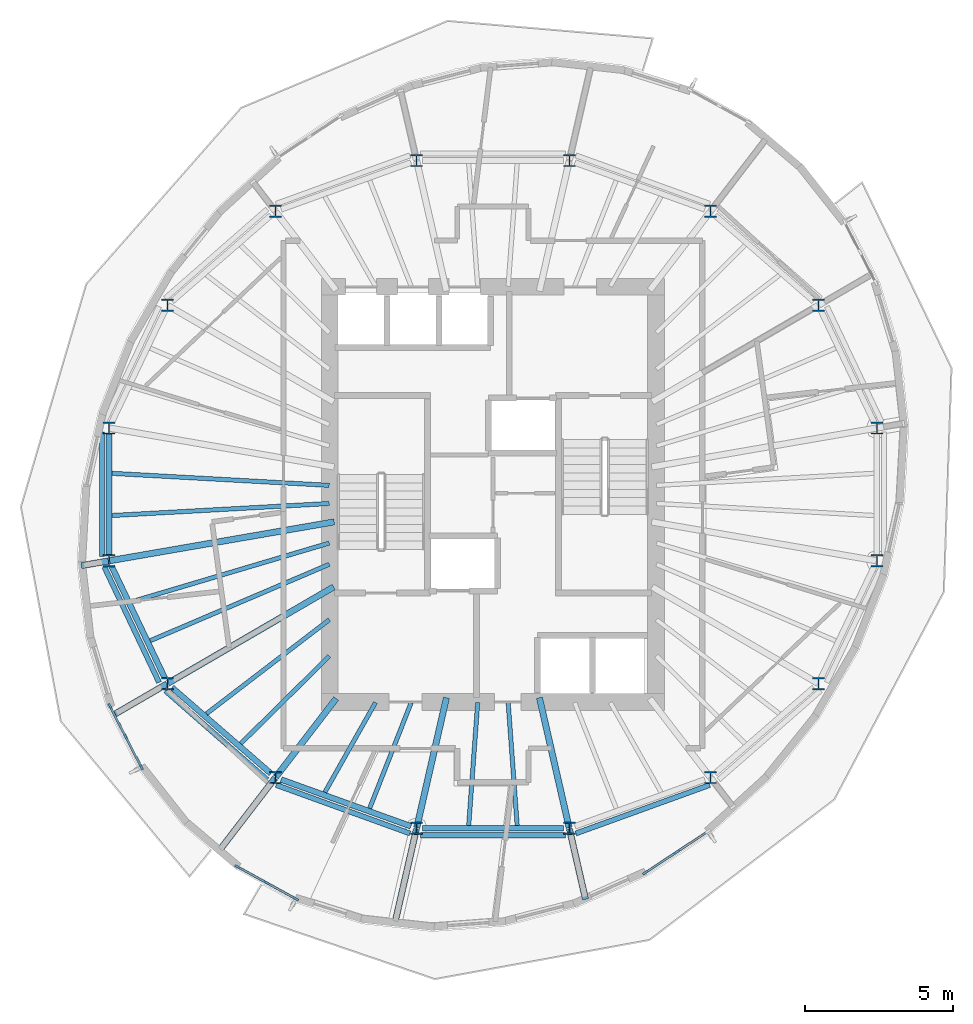
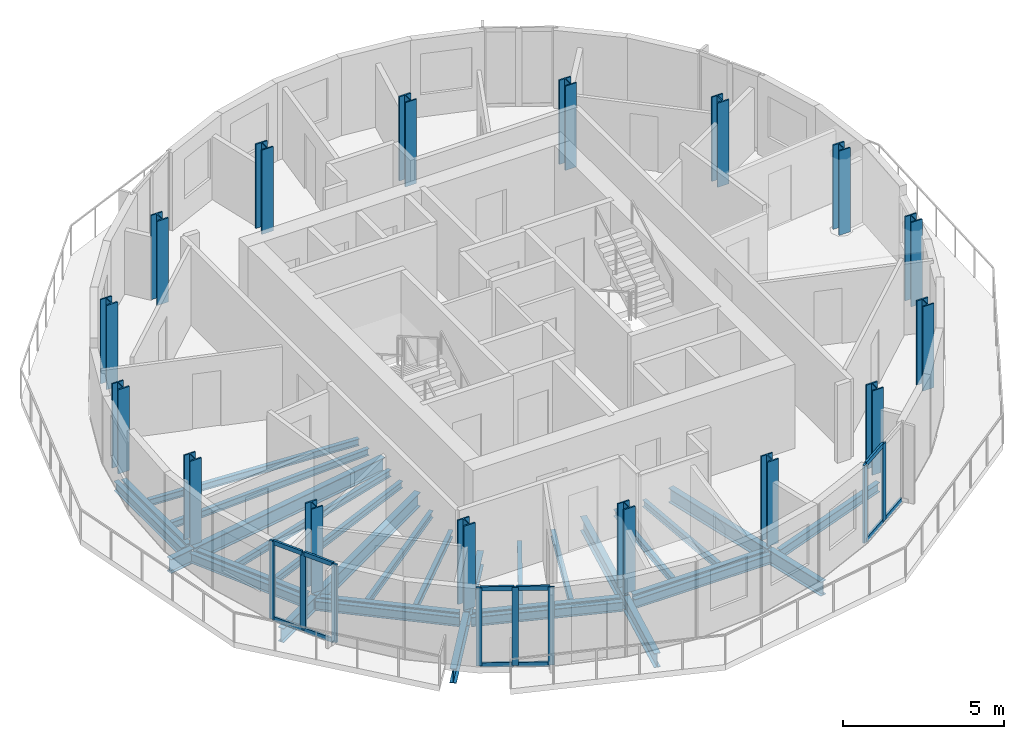
# One storey, part 1 of 11: 31 beams, 19 members, 16 columns, 3 elements without a shape of their own.
"""IFC4 building model written with IfcOpenShell, lengths in metres."""

from ifc_helpers import new_model, si_unit, direction, frame, origin, origin_2d, place, context, subcontext, project, spatial, rectangle, i_section, extrude, material, material_profile, profile_set, type_object, element, aggregate, save


model = new_model("IFC4")

# Units and contexts
model_context = context("Model", 3, precision=1e-05, world=origin(), true_north=direction((0.0, 1.0)))
body_context = subcontext(model_context, "Body", "Model", "MODEL_VIEW")
ifc_project = project(units=[si_unit("LENGTHUNIT", "METRE"), si_unit("AREAUNIT", "SQUARE_METRE"), si_unit("VOLUMEUNIT", "CUBIC_METRE"), si_unit("PLANEANGLEUNIT", "RADIAN"), si_unit("MASSUNIT", "GRAM", prefix="KILO")], contexts=[model_context])

# Site, building, storey
site_placement = place(None, origin())
site = spatial("IfcSite", under=ifc_project, at=site_placement, CompositionType="ELEMENT")
building_placement = place(site_placement, origin())
building = spatial("IfcBuilding", under=site, at=building_placement, Name="Veldorim Arch Residences", CompositionType="ELEMENT")
storey_placement = place(building_placement, frame((0.0, 0.0, 220.639892578125)))
storey = spatial("IfcBuildingStorey", under=building, at=storey_placement, Name="L66", CompositionType="ELEMENT", Elevation=220.639892578125)

# Columns
ifc_material_1 = material(Name="Steel S460", Category="steel")
ifc_material_profile_1 = material_profile(ifc_material_1, i_section(OverallWidth=0.406982421875, OverallDepth=0.4189453125, WebThickness=0.030517578125, FlangeThickness=0.04931640625, at=origin_2d()), Name="UC356x406x393")
ifc_profile_set_1 = profile_set([ifc_material_profile_1], Name="Steel S460")
column_type = type_object("IfcColumnType", Name="Structural Column UC356x406x393", PredefinedType="COLUMN", material=ifc_profile_set_1)
for number, where, z_axis, x_axis, name in (
    (1, (44.9462890625, 26.239501953125, 0.0), (0.0, 0.0, 1.0), (1.0, 0.0, 0.0), "L66 TC-Z4-01 perimeter column"),
    (2, (42.975341796875, 30.3779296875, 0.0), (0.0, 0.0, 1.0), (1.0, 0.0, 0.0), "L66 TC-Z4-02 perimeter column"),
    (3, (39.33349609375, 33.54541015625, 0.0), (0.0, 0.0, 1.0), (1.0, 0.0, 0.0), "L66 TC-Z4-03 perimeter column"),
    (4, (34.5751953125, 35.259521484375, 0.0), (0.0, 0.0, 1.0), (1.0, 0.0, 0.0), "L66 TC-Z4-04 perimeter column"),
    (5, (29.4248046875, 35.259521484375, 0.0), (0.0, 0.0, 1.0), (1.0, 0.0, 0.0), "L66 TC-Z4-05 perimeter column"),
    (6, (24.66650390625, 33.54541015625, 0.0), (0.0, 0.0, 1.0), (1.0, 0.0, 0.0), "L66 TC-Z4-06 perimeter column"),
    (7, (21.024658203125, 30.3779296875, 0.0), (0.0, 0.0, 1.0), (1.0, 0.0, 0.0), "L66 TC-Z4-07 perimeter column"),
    (8, (19.0537109375, 26.239501953125, 0.0), (0.0, 0.0, 1.0), (1.0, 0.0, 0.0), "L66 TC-Z4-08 perimeter column"),
    (9, (19.0537109375, 21.760498046875, 0.0), (0.0, 0.0, 1.0), (1.0, 0.0, 0.0), "L66 TC-Z4-09 perimeter column"),
    (10, (21.024658203125, 17.6220703125, 0.0), (0.0, 0.0, 1.0), (1.0, 0.0, 0.0), "L66 TC-Z4-10 perimeter column"),
    (11, (24.66650390625, 14.45458984375, 0.0), (0.0, 0.0, 1.0), (1.0, 0.0, 0.0), "L66 TC-Z4-11 perimeter column"),
    (12, (29.4248046875, 12.740478515625, 0.0), (0.0, 0.0, 1.0), (1.0, 0.0, 0.0), "L66 TC-Z4-12 perimeter column"),
    (13, (34.5751953125, 12.740478515625, 0.0), (0.0, 0.0, 1.0), (1.0, 0.0, 0.0), "L66 TC-Z4-13 perimeter column"),
    (14, (39.33349609375, 14.45458984375, 0.0), (0.0, 0.0, 1.0), (1.0, 0.0, 0.0), "L66 TC-Z4-14 perimeter column"),
    (15, (42.975341796875, 17.6220703125, 0.0), (0.0, 0.0, 1.0), (1.0, 0.0, 0.0), "L66 TC-Z4-15 perimeter column"),
    (16, (44.9462890625, 21.760498046875, 0.0), (0.0, 0.0, 1.0), (1.0, 0.0, 0.0), "L66 TC-Z4-16 perimeter column"),
):
    element("IfcColumn", number, at=place(storey_placement, frame(where, z_axis=z_axis, x_axis=x_axis)), inside=storey, type_object=column_type, Name=name, PredefinedType="COLUMN", context=body_context, shape_type="SweptSolid", body=[
        extrude(i_section(OverallWidth=0.406982421875, OverallDepth=0.4189453125, WebThickness=0.030517578125, FlangeThickness=0.04931640625, at=origin_2d()), origin(), (0.0, 0.0, 1.0), 3.2001953125),
    ])

# Beams
ifc_material_2 = material(Name="Steel S355", Category="steel")
ifc_material_profile_2 = material_profile(ifc_material_2, i_section(OverallWidth=0.2119140625, OverallDepth=0.54443359375, WebThickness=0.0126953125, FlangeThickness=0.021240234375, at=origin_2d()), Name="UB533x210x122")
ifc_profile_set_2 = profile_set([ifc_material_profile_2], Name="Steel S355")
beam_type_1 = type_object("IfcBeamType", Name="Structural Steel Beam UB533x210x122", PredefinedType="BEAM", material=ifc_profile_set_2)
beam_1_placement = place(storey_placement, frame((26.647705078125, 23.07421875, -0.51220703125), z_axis=(-0.985364974081, -0.170457818401, 0.0), x_axis=(0.170457818401, -0.985364974081, 0.0)))
element("IfcBeam", 17, at=beam_1_placement, inside=storey, type_object=beam_type_1, Name="L66 radial floor girder 09", PredefinedType="BEAM", context=body_context, shape_type="SweptSolid", body=[
    extrude(i_section(OverallWidth=0.2119140625, OverallDepth=0.54443359375, WebThickness=0.0126953125, FlangeThickness=0.021240234375, at=origin_2d()), origin(), (0.0, 0.0, 1.0), 7.68701171875),
])
beam_2_placement = place(storey_placement, frame((19.033935546875, 21.757080078125, -0.51220703125), z_axis=(-0.985342848414, -0.170585670791, 0.0), x_axis=(0.170585670791, -0.985342848414, 0.0)))
element("IfcBeam", 18, at=beam_2_placement, inside=storey, type_object=beam_type_1, Name="L66 radial edge cantilever girder 09", PredefinedType="BEAM", context=body_context, shape_type="SweptSolid", body=[
    extrude(i_section(OverallWidth=0.2119140625, OverallDepth=0.54443359375, WebThickness=0.0126953125, FlangeThickness=0.021240234375, at=origin_2d()), origin(), (0.0, 0.0, 1.0), 0.927490234375),
])
beam_3_placement = place(storey_placement, frame((26.629638671875, 20.87939453125, -0.51220703125), z_axis=(-0.864595736304, -0.502468121142, 0.0), x_axis=(0.502468121142, -0.864595736304, 0.0)))
element("IfcBeam", 19, at=beam_3_placement, inside=storey, type_object=beam_type_1, Name="L66 radial floor girder 10", PredefinedType="BEAM", context=body_context, shape_type="SweptSolid", body=[
    extrude(i_section(OverallWidth=0.2119140625, OverallDepth=0.54443359375, WebThickness=0.0126953125, FlangeThickness=0.021240234375, at=origin_2d()), origin(), (0.0, 0.0, 1.0), 6.462646484375),
])
beam_4_placement = place(storey_placement, frame((21.00732421875, 17.612060546875, -0.51220703125), z_axis=(-0.864613318974, -0.502437865465, 0.0), x_axis=(0.502437865465, -0.864613318974, 0.0)))
element("IfcBeam", 20, at=beam_4_placement, inside=storey, type_object=beam_type_1, Name="L66 radial edge cantilever girder 10", PredefinedType="BEAM", context=body_context, shape_type="SweptSolid", body=[
    extrude(i_section(OverallWidth=0.2119140625, OverallDepth=0.54443359375, WebThickness=0.0126953125, FlangeThickness=0.021240234375, at=origin_2d()), origin(), (0.0, 0.0, 1.0), 2.045166015625),
])
beam_5_placement = place(storey_placement, frame((26.71337890625, 17.118896484375, -0.51220703125), z_axis=(-0.609258442308, -0.792971721108, 0.0), x_axis=(0.792971721108, -0.609258442308, 0.0)))
element("IfcBeam", 21, at=beam_5_placement, inside=storey, type_object=beam_type_1, Name="L66 radial floor girder 11", PredefinedType="BEAM", context=body_context, shape_type="SweptSolid", body=[
    extrude(i_section(OverallWidth=0.2119140625, OverallDepth=0.54443359375, WebThickness=0.0126953125, FlangeThickness=0.021240234375, at=origin_2d()), origin(), (0.0, 0.0, 1.0), 3.339599609375),
])
beam_6_placement = place(storey_placement, frame((24.654296875, 14.438720703125, -0.51220703125), z_axis=(-0.609235463965, -0.792989375369, 0.0), x_axis=(0.792989375369, -0.609235463965, 0.0)))
element("IfcBeam", 22, at=beam_6_placement, inside=storey, type_object=beam_type_1, Name="L66 radial edge cantilever girder 11", PredefinedType="BEAM", context=body_context, shape_type="SweptSolid", body=[
    extrude(i_section(OverallWidth=0.2119140625, OverallDepth=0.54443359375, WebThickness=0.0126953125, FlangeThickness=0.021240234375, at=origin_2d()), origin(), (0.0, 0.0, 1.0), 3.103759765625),
])
beam_7_placement = place(storey_placement, frame((30.432373046875, 17.146240234375, -0.51220703125), z_axis=(-0.222952976993, -0.97482920045, 0.0), x_axis=(0.97482920045, -0.222952976993, 0.0)))
element("IfcBeam", 23, at=beam_7_placement, inside=storey, type_object=beam_type_1, Name="L66 radial floor girder 12", PredefinedType="BEAM", context=body_context, shape_type="SweptSolid", body=[
    extrude(i_section(OverallWidth=0.2119140625, OverallDepth=0.54443359375, WebThickness=0.0126953125, FlangeThickness=0.021240234375, at=origin_2d()), origin(), (0.0, 0.0, 1.0), 4.49951171875),
])
beam_8_placement = place(storey_placement, frame((29.42041015625, 12.72119140625, -0.51220703125), z_axis=(-0.223019615736, -0.97481395712, 0.0), x_axis=(0.97481395712, -0.223019615736, 0.0)))
element("IfcBeam", 24, at=beam_8_placement, inside=storey, type_object=beam_type_1, Name="L66 radial edge cantilever girder 12", PredefinedType="BEAM", context=body_context, shape_type="SweptSolid", body=[
    extrude(i_section(OverallWidth=0.2119140625, OverallDepth=0.54443359375, WebThickness=0.0126953125, FlangeThickness=0.021240234375, at=origin_2d()), origin(), (0.0, 0.0, 1.0), 3.2666015625),
])
beam_9_placement = place(storey_placement, frame((33.567626953125, 17.146240234375, -0.51220703125), z_axis=(0.222952976993, -0.97482920045, 0.0), x_axis=(0.97482920045, 0.222952976993, 0.0)))
element("IfcBeam", 25, at=beam_9_placement, inside=storey, type_object=beam_type_1, Name="L66 radial floor girder 13", PredefinedType="BEAM", context=body_context, shape_type="SweptSolid", body=[
    extrude(i_section(OverallWidth=0.2119140625, OverallDepth=0.54443359375, WebThickness=0.0126953125, FlangeThickness=0.021240234375, at=origin_2d()), origin(), (0.0, 0.0, 1.0), 4.49951171875),
])
beam_10_placement = place(storey_placement, frame((34.57958984375, 12.72119140625, -0.51220703125), z_axis=(0.222985349642, -0.974821795943, 0.0), x_axis=(0.974821795943, 0.222985349642, 0.0)))
element("IfcBeam", 26, at=beam_10_placement, inside=storey, type_object=beam_type_1, Name="L66 radial edge cantilever girder 13", PredefinedType="BEAM", context=body_context, shape_type="SweptSolid", body=[
    extrude(i_section(OverallWidth=0.2119140625, OverallDepth=0.54443359375, WebThickness=0.0126953125, FlangeThickness=0.021240234375, at=origin_2d()), origin(), (0.0, 0.0, 1.0), 2.43603515625),
])
ifc_material_3 = material(Name="Steel S355", Category="steel")
ifc_material_profile_3 = material_profile(ifc_material_3, i_section(OverallWidth=0.146484375, OverallDepth=0.256103515625, WebThickness=0.00634765625, FlangeThickness=0.010986328125, at=origin_2d()), Name="UB254x146x37")
ifc_profile_set_3 = profile_set([ifc_material_profile_3], Name="Steel S355")
beam_type_2 = type_object("IfcBeamType", Name="Structural Steel Joist UB254x146x37", PredefinedType="JOIST", material=ifc_profile_set_3)
for number, where, z_axis, x_axis, name in (
    (27, (26.47998046875, 24.3056640625, -0.367919921875), (-0.998472000884, 0.055259962464, 0.0), (-0.055259962464, -0.998472000884, 0.0), "L66 secondary radial floor joist 08-1"),
    (28, (26.47998046875, 23.6943359375, -0.367919921875), (-0.998472000884, -0.055259962464, 0.0), (0.055259962464, -0.998472000884, 0.0), "L66 secondary radial floor joist 08-2"),
):
    element("IfcBeam", number, at=place(storey_placement, frame(where, z_axis=z_axis, x_axis=x_axis)), inside=storey, type_object=beam_type_2, Name=name, PredefinedType="JOIST", context=body_context, shape_type="SweptSolid", body=[
        extrude(i_section(OverallWidth=0.146484375, OverallDepth=0.256103515625, WebThickness=0.00634765625, FlangeThickness=0.010986328125, at=origin_2d()), origin(), (0.0, 0.0, 1.0), 7.33837890625),
    ])
beam_11_placement = place(storey_placement, frame((26.480712890625, 22.360595703125, -0.367919921875), z_axis=(-0.958594432792, -0.284774846889, 0.0), x_axis=(0.284774846889, -0.958594432792, 0.0)))
element("IfcBeam", 29, at=beam_11_placement, inside=storey, type_object=beam_type_2, Name="L66 secondary radial floor joist 09-1", PredefinedType="JOIST", context=body_context, shape_type="SweptSolid", body=[
    extrude(i_section(OverallWidth=0.146484375, OverallDepth=0.256103515625, WebThickness=0.00634765625, FlangeThickness=0.010986328125, at=origin_2d()), origin(), (0.0, 0.0, 1.0), 6.949462890625),
])
beam_12_placement = place(storey_placement, frame((26.481689453125, 21.644287109375, -0.367919921875), z_axis=(-0.919725161652, -0.392562895629, 0.0), x_axis=(0.392562895629, -0.919725161652, 0.0)))
element("IfcBeam", 30, at=beam_12_placement, inside=storey, type_object=beam_type_2, Name="L66 secondary radial floor joist 09-2", PredefinedType="JOIST", context=body_context, shape_type="SweptSolid", body=[
    extrude(i_section(OverallWidth=0.146484375, OverallDepth=0.256103515625, WebThickness=0.00634765625, FlangeThickness=0.010986328125, at=origin_2d()), origin(), (0.0, 0.0, 1.0), 6.5625),
])
beam_13_placement = place(storey_placement, frame((26.484130859375, 19.777099609375, -0.367919921875), z_axis=(-0.794013672216, -0.607899899929, 0.0), x_axis=(0.607899899929, -0.794013672216, 0.0)))
element("IfcBeam", 31, at=beam_13_placement, inside=storey, type_object=beam_type_2, Name="L66 secondary radial floor joist 10-1", PredefinedType="JOIST", context=body_context, shape_type="SweptSolid", body=[
    extrude(i_section(OverallWidth=0.146484375, OverallDepth=0.256103515625, WebThickness=0.00634765625, FlangeThickness=0.010986328125, at=origin_2d()), origin(), (0.0, 0.0, 1.0), 5.217041015625),
])
beam_14_placement = place(storey_placement, frame((26.48583984375, 18.55224609375, -0.367919921875), z_axis=(-0.711396725432, -0.702790650937, 0.0), x_axis=(0.702790650937, -0.711396725432, 0.0)))
element("IfcBeam", 32, at=beam_14_placement, inside=storey, type_object=beam_type_2, Name="L66 secondary radial floor joist 10-2", PredefinedType="JOIST", context=body_context, shape_type="SweptSolid", body=[
    extrude(i_section(OverallWidth=0.146484375, OverallDepth=0.256103515625, WebThickness=0.00634765625, FlangeThickness=0.010986328125, at=origin_2d()), origin(), (0.0, 0.0, 1.0), 4.198486328125),
])
beam_15_placement = place(storey_placement, frame((28.039794921875, 16.982666015625, -0.367919921875), z_axis=(-0.491452469585, -0.870904397818, 0.0), x_axis=(0.870904397818, -0.491452469585, 0.0)))
element("IfcBeam", 33, at=beam_15_placement, inside=storey, type_object=beam_type_2, Name="L66 secondary radial floor joist 11-1", PredefinedType="JOIST", context=body_context, shape_type="SweptSolid", body=[
    extrude(i_section(OverallWidth=0.146484375, OverallDepth=0.256103515625, WebThickness=0.00634765625, FlangeThickness=0.010986328125, at=origin_2d()), origin(), (0.0, 0.0, 1.0), 3.472412109375),
])
beam_16_placement = place(storey_placement, frame((29.24365234375, 16.9814453125, -0.367919921875), z_axis=(-0.365581383042, -0.930779379001, 0.0), x_axis=(0.930779379001, -0.365581383042, 0.0)))
element("IfcBeam", 34, at=beam_16_placement, inside=storey, type_object=beam_type_2, Name="L66 secondary radial floor joist 11-2", PredefinedType="JOIST", context=body_context, shape_type="SweptSolid", body=[
    extrude(i_section(OverallWidth=0.146484375, OverallDepth=0.256103515625, WebThickness=0.00634765625, FlangeThickness=0.010986328125, at=origin_2d()), origin(), (0.0, 0.0, 1.0), 3.83056640625),
])
for number, where, z_axis, x_axis, name in (
    (35, (31.486083984375, 16.97998046875, -0.367919921875), (-0.072985625899, -0.997332992742, 0.0), (0.997332992742, -0.072985625899, 0.0), "L66 secondary radial floor joist 12-1"),
    (36, (32.513916015625, 16.97998046875, -0.367919921875), (0.072985625899, -0.997332992742, 0.0), (0.997332992742, 0.072985625899, 0.0), "L66 secondary radial floor joist 12-2"),
):
    element("IfcBeam", number, at=place(storey_placement, frame(where, z_axis=z_axis, x_axis=x_axis)), inside=storey, type_object=beam_type_2, Name=name, PredefinedType="JOIST", context=body_context, shape_type="SweptSolid", body=[
        extrude(i_section(OverallWidth=0.146484375, OverallDepth=0.256103515625, WebThickness=0.00634765625, FlangeThickness=0.010986328125, at=origin_2d()), origin(), (0.0, 0.0, 1.0), 4.151123046875),
    ])
ifc_material_4 = material(Name="Steel S355", Category="steel")
ifc_material_profile_4 = material_profile(ifc_material_4, i_section(OverallWidth=0.172119140625, OverallDepth=0.35791015625, WebThickness=0.008056640625, FlangeThickness=0.012939453125, at=origin_2d()), Name="UB356x171x57")
ifc_profile_set_4 = profile_set([ifc_material_profile_4], Name="Steel S355")
beam_type_3 = type_object("IfcBeamType", Name="Structural Steel Spandrel UB356x171x57", PredefinedType="SPANDREL", material=ifc_profile_set_4)
beam_17_placement = place(storey_placement, frame((18.817138671875, 26.101318359375, -0.43896484375), z_axis=(0.0, -1.0, 0.0), x_axis=(1.0, 0.0, 0.0)))
element("IfcBeam", 37, at=beam_17_placement, inside=storey, type_object=beam_type_3, Name="L66 perimeter chord spandrel beam 08", PredefinedType="SPANDREL", context=body_context, shape_type="SweptSolid", body=[
    extrude(i_section(OverallWidth=0.172119140625, OverallDepth=0.35791015625, WebThickness=0.008056640625, FlangeThickness=0.012939453125, at=origin_2d()), origin(), (0.0, 0.0, 1.0), 4.20263671875),
])
beam_18_placement = place(storey_placement, frame((18.893798828125, 21.5576171875, -0.43896484375), z_axis=(0.428468601304, -0.903556670994, 0.0), x_axis=(0.903556670994, 0.428468601304, 0.0)))
element("IfcBeam", 38, at=beam_18_placement, inside=storey, type_object=beam_type_3, Name="L66 perimeter chord spandrel beam 09", PredefinedType="SPANDREL", context=body_context, shape_type="SweptSolid", body=[
    extrude(i_section(OverallWidth=0.172119140625, OverallDepth=0.35791015625, WebThickness=0.008056640625, FlangeThickness=0.012939453125, at=origin_2d()), origin(), (0.0, 0.0, 1.0), 4.31005859375),
])
beam_19_placement = place(storey_placement, frame((20.951904296875, 17.3837890625, -0.43896484375), z_axis=(0.752868439096, -0.658171036596, 0.0), x_axis=(0.658171036596, 0.752868439096, 0.0)))
element("IfcBeam", 39, at=beam_19_placement, inside=storey, type_object=beam_type_3, Name="L66 perimeter chord spandrel beam 10", PredefinedType="SPANDREL", context=body_context, shape_type="SweptSolid", body=[
    extrude(i_section(OverallWidth=0.172119140625, OverallDepth=0.35791015625, WebThickness=0.008056640625, FlangeThickness=0.012939453125, at=origin_2d()), origin(), (0.0, 0.0, 1.0), 4.560791015625),
])
beam_20_placement = place(storey_placement, frame((24.688720703125, 14.203369140625, -0.43896484375), z_axis=(0.940178823137, -0.340681347486, 0.0), x_axis=(0.340681347486, 0.940178823137, 0.0)))
element("IfcBeam", 40, at=beam_20_placement, inside=storey, type_object=beam_type_3, Name="L66 perimeter chord spandrel beam 11", PredefinedType="SPANDREL", context=body_context, shape_type="SweptSolid", body=[
    extrude(i_section(OverallWidth=0.172119140625, OverallDepth=0.35791015625, WebThickness=0.008056640625, FlangeThickness=0.012939453125, at=origin_2d()), origin(), (0.0, 0.0, 1.0), 4.80126953125),
])
beam_21_placement = place(storey_placement, frame((29.55029296875, 12.506591796875, -0.43896484375), z_axis=(1.0, 0.0, 0.0), x_axis=(0.0, 1.0, 0.0)))
element("IfcBeam", 41, at=beam_21_placement, inside=storey, type_object=beam_type_3, Name="L66 perimeter chord spandrel beam 12", PredefinedType="SPANDREL", context=body_context, shape_type="SweptSolid", body=[
    extrude(i_section(OverallWidth=0.172119140625, OverallDepth=0.35791015625, WebThickness=0.008056640625, FlangeThickness=0.012939453125, at=origin_2d()), origin(), (0.0, 0.0, 1.0), 4.8994140625),
])
beam_22_placement = place(storey_placement, frame((34.797119140625, 12.567626953125, -0.43896484375), z_axis=(0.940178823137, 0.340681347486, 0.0), x_axis=(-0.340681347486, 0.940178823137, 0.0)))
element("IfcBeam", 42, at=beam_22_placement, inside=storey, type_object=beam_type_3, Name="L66 perimeter chord spandrel beam 13", PredefinedType="SPANDREL", context=body_context, shape_type="SweptSolid", body=[
    extrude(i_section(OverallWidth=0.172119140625, OverallDepth=0.35791015625, WebThickness=0.008056640625, FlangeThickness=0.012939453125, at=origin_2d()), origin(), (0.0, 0.0, 1.0), 4.80126953125),
])
ifc_material_5 = material(Name="Steel S355", Category="steel")
ifc_material_profile_5 = material_profile(ifc_material_5, i_section(OverallWidth=0.19140625, OverallDepth=0.4599609375, WebThickness=0.010009765625, FlangeThickness=0.01611328125, at=origin_2d()), Name="UB457x191x82")
ifc_profile_set_5 = profile_set([ifc_material_profile_5], Name="Steel S355")
beam_type_4 = type_object("IfcBeamType", Name="Structural Steel Spandrel UB457x191x82", PredefinedType="SPANDREL", material=ifc_profile_set_5)
beam_23_placement = place(storey_placement, frame((19.0537109375, 26.0361328125, -0.469970703125), z_axis=(0.0, -1.0, 0.0), x_axis=(1.0, 0.0, 0.0)))
element("IfcBeam", 43, at=beam_23_placement, inside=storey, type_object=beam_type_4, Name="L66 perimeter ring tie beam 08", PredefinedType="SPANDREL", context=body_context, shape_type="SweptSolid", body=[
    extrude(i_section(OverallWidth=0.19140625, OverallDepth=0.4599609375, WebThickness=0.010009765625, FlangeThickness=0.01611328125, at=origin_2d()), origin(), (0.0, 0.0, 1.0), 4.072265625),
])
beam_24_placement = place(storey_placement, frame((19.14111328125, 21.57666015625, -0.469970703125), z_axis=(0.429992574394, -0.902832424078, 0.0), x_axis=(0.902832424078, 0.429992574394, 0.0)))
element("IfcBeam", 44, at=beam_24_placement, inside=storey, type_object=beam_type_4, Name="L66 perimeter ring tie beam 09", PredefinedType="SPANDREL", context=body_context, shape_type="SweptSolid", body=[
    extrude(i_section(OverallWidth=0.19140625, OverallDepth=0.4599609375, WebThickness=0.010009765625, FlangeThickness=0.01611328125, at=origin_2d()), origin(), (0.0, 0.0, 1.0), 4.176513671875),
])
beam_25_placement = place(storey_placement, frame((21.17822265625, 17.488525390625, -0.469970703125), z_axis=(0.754534162517, -0.656260769508, 0.0), x_axis=(0.656260769508, 0.754534162517, 0.0)))
element("IfcBeam", 45, at=beam_25_placement, inside=storey, type_object=beam_type_4, Name="L66 perimeter ring tie beam 10", PredefinedType="SPANDREL", context=body_context, shape_type="SweptSolid", body=[
    extrude(i_section(OverallWidth=0.19140625, OverallDepth=0.4599609375, WebThickness=0.010009765625, FlangeThickness=0.01611328125, at=origin_2d()), origin(), (0.0, 0.0, 1.0), 4.419677734375),
])
beam_26_placement = place(storey_placement, frame((24.85791015625, 14.3857421875, -0.469970703125), z_axis=(0.940819134121, -0.338909068736, 0.0), x_axis=(0.338909068736, 0.940819134121, 0.0)))
element("IfcBeam", 46, at=beam_26_placement, inside=storey, type_object=beam_type_4, Name="L66 perimeter ring tie beam 11", PredefinedType="SPANDREL", context=body_context, shape_type="SweptSolid", body=[
    extrude(i_section(OverallWidth=0.19140625, OverallDepth=0.4599609375, WebThickness=0.010009765625, FlangeThickness=0.01611328125, at=origin_2d()), origin(), (0.0, 0.0, 1.0), 4.650634765625),
])
beam_27_placement = place(storey_placement, frame((29.62841796875, 12.740478515625, -0.469970703125), z_axis=(1.0, 0.0, 0.0), x_axis=(0.0, 1.0, 0.0)))
element("IfcBeam", 47, at=beam_27_placement, inside=storey, type_object=beam_type_4, Name="L66 perimeter ring tie beam 12", PredefinedType="SPANDREL", context=body_context, shape_type="SweptSolid", body=[
    extrude(i_section(OverallWidth=0.19140625, OverallDepth=0.4599609375, WebThickness=0.010009765625, FlangeThickness=0.01611328125, at=origin_2d()), origin(), (0.0, 0.0, 1.0), 4.7431640625),
])

# Curtain wall, members
ifc_material_6 = material(Name="Aluminium", Category="aluminium")
curtain_wall_type = type_object("IfcCurtainWallType", Name="Zone 4 High-Altitude Unitised Curtain Wall", PredefinedType="NOTDEFINED", material=ifc_material_6)
curtain_wall_1_placement = place(storey_placement, origin())
curtain_wall_1 = element("IfcCurtainWall", 48, at=curtain_wall_1_placement, inside=storey, type_object=curtain_wall_type, Name="L66 unitised curtain wall bay 16", PredefinedType="NOTDEFINED")
ifc_material_7 = material(Name="Aluminium", Category="aluminium")
ifc_material_profile_6 = material_profile(ifc_material_7, rectangle(XDim=0.074951171875, YDim=0.195068359375, at=origin_2d()), Name="ALU_MUL_75x195")
ifc_profile_set_6 = profile_set([ifc_material_profile_6], Name="Aluminium")
member_type_1 = type_object("IfcMemberType", Name="Zone 4 High-Altitude Unitised Curtain Wall Mullion 75x195", PredefinedType="MULLION", material=ifc_profile_set_6)
member_1_placement = place(storey_placement, frame((20.14453125, 14.80322265625, 0.0), z_axis=(0.0, 0.0, 1.0), x_axis=(-0.889131048935, -0.457652682523, 0.0)))
member_1 = element("IfcMember", 49, at=member_1_placement, type_object=member_type_1, Name="CW-Z4 mullion 1", PredefinedType="MULLION", context=body_context, shape_type="SweptSolid", body=[
    extrude(rectangle(XDim=0.074951171875, YDim=0.195068359375, at=origin_2d()), origin(), (0.0, 0.0, 1.0), 2.960205078125),
])
member_2_placement = place(storey_placement, frame((19.615478515625, 15.83154296875, 0.0), z_axis=(0.0, 0.0, 1.0), x_axis=(-0.889131048935, -0.457652682523, 0.0)))
member_2 = element("IfcMember", 50, at=member_2_placement, type_object=member_type_1, Name="CW-Z4 mullion 2", PredefinedType="MULLION", context=body_context, shape_type="SweptSolid", body=[
    extrude(rectangle(XDim=0.074951171875, YDim=0.195068359375, at=origin_2d()), origin(), (0.0, 0.0, 1.0), 2.960205078125),
])
member_3_placement = place(storey_placement, frame((19.086181640625, 16.859619140625, 0.0), z_axis=(0.0, 0.0, 1.0), x_axis=(-0.889131048935, -0.457652682523, 0.0)))
member_3 = element("IfcMember", 51, at=member_3_placement, type_object=member_type_1, Name="CW-Z4 mullion 3", PredefinedType="MULLION", context=body_context, shape_type="SweptSolid", body=[
    extrude(rectangle(XDim=0.074951171875, YDim=0.195068359375, at=origin_2d()), origin(), (0.0, 0.0, 1.0), 2.960205078125),
])

curtain_wall_2_placement = place(storey_placement, origin())
curtain_wall_2 = element("IfcCurtainWall", 52, at=curtain_wall_2_placement, inside=storey, type_object=curtain_wall_type, Name="L66 unitised curtain wall bay 19", PredefinedType="NOTDEFINED")
member_4_placement = place(storey_placement, frame((25.35693359375, 10.360107421875, 0.0), z_axis=(0.0, 0.0, 1.0), x_axis=(-0.48195342655, -0.876196835555, 0.0)))
member_4 = element("IfcMember", 53, at=member_4_placement, type_object=member_type_1, Name="CW-Z4 mullion 1", PredefinedType="MULLION", context=body_context, shape_type="SweptSolid", body=[
    extrude(rectangle(XDim=0.074951171875, YDim=0.195068359375, at=origin_2d()), origin(), (0.0, 0.0, 1.0), 2.960205078125),
])
member_5_placement = place(storey_placement, frame((24.371337890625, 10.902099609375, 0.0), z_axis=(0.0, 0.0, 1.0), x_axis=(-0.48195342655, -0.876196835555, 0.0)))
member_5 = element("IfcMember", 54, at=member_5_placement, type_object=member_type_1, Name="CW-Z4 mullion 2", PredefinedType="MULLION", context=body_context, shape_type="SweptSolid", body=[
    extrude(rectangle(XDim=0.074951171875, YDim=0.195068359375, at=origin_2d()), origin(), (0.0, 0.0, 1.0), 2.960205078125),
])
member_6_placement = place(storey_placement, frame((23.3857421875, 11.4443359375, 0.0), z_axis=(0.0, 0.0, 1.0), x_axis=(-0.48195342655, -0.876196835555, 0.0)))
member_6 = element("IfcMember", 55, at=member_6_placement, type_object=member_type_1, Name="CW-Z4 mullion 3", PredefinedType="MULLION", context=body_context, shape_type="SweptSolid", body=[
    extrude(rectangle(XDim=0.074951171875, YDim=0.195068359375, at=origin_2d()), origin(), (0.0, 0.0, 1.0), 2.960205078125),
])

curtain_wall_3_placement = place(storey_placement, origin())
curtain_wall_3 = element("IfcCurtainWall", 56, at=curtain_wall_3_placement, inside=storey, type_object=curtain_wall_type, Name="L66 unitised curtain wall bay 25", PredefinedType="NOTDEFINED")
member_7_placement = place(storey_placement, frame((38.195556640625, 11.94140625, 0.0), z_axis=(0.0, 0.0, 1.0), x_axis=(0.550061569233, -0.835124104582, 0.0)))
member_7 = element("IfcMember", 57, at=member_7_placement, type_object=member_type_1, Name="CW-Z4 mullion 2", PredefinedType="MULLION", context=body_context, shape_type="SweptSolid", body=[
    extrude(rectangle(XDim=0.074951171875, YDim=0.195068359375, at=origin_2d()), origin(), (0.0, 0.0, 1.0), 2.960205078125),
])
member_8_placement = place(storey_placement, frame((37.13623046875, 11.243896484375, 0.0), z_axis=(0.0, 0.0, 1.0), x_axis=(0.550061569233, -0.835124104582, 0.0)))
member_8 = element("IfcMember", 58, at=member_8_placement, type_object=member_type_1, Name="CW-Z4 mullion 3", PredefinedType="MULLION", context=body_context, shape_type="SweptSolid", body=[
    extrude(rectangle(XDim=0.074951171875, YDim=0.195068359375, at=origin_2d()), origin(), (0.0, 0.0, 1.0), 2.960205078125),
])

# Member
ifc_material_8 = material(Name="Aluminium", Category="aluminium")
ifc_material_profile_7 = material_profile(ifc_material_8, rectangle(XDim=0.074951171875, YDim=0.1650390625, at=origin_2d()), Name="ALU_TRN_75x165")
ifc_profile_set_7 = profile_set([ifc_material_profile_7], Name="Aluminium")
member_type_2 = type_object("IfcMemberType", Name="Zone 4 High-Altitude Unitised Curtain Wall Transom 75x165", PredefinedType="USERDEFINED", material=ifc_profile_set_7)
member_9_placement = place(storey_placement, frame((20.12744140625, 14.836669921875, 0.03759765625), z_axis=(-0.457659181253, 0.889127703885, 0.0), x_axis=(-0.889127703885, -0.457659181253, 0.0)))
member_9 = element("IfcMember", 59, at=member_9_placement, type_object=member_type_2, Name="CW-Z4 transom 1.1", ObjectType="TRANSOM", PredefinedType="USERDEFINED", context=body_context, shape_type="SweptSolid", body=[
    extrude(rectangle(XDim=0.074951171875, YDim=0.1650390625, at=origin_2d()), origin(), (0.0, 0.0, 1.0), 1.081298828125),
])

member_10_placement = place(storey_placement, frame((20.12744140625, 14.836669921875, 2.922607421875), z_axis=(-0.457659181253, 0.889127703885, 0.0), x_axis=(-0.889127703885, -0.457659181253, 0.0)))
member_10 = element("IfcMember", 60, at=member_10_placement, type_object=member_type_2, Name="CW-Z4 transom 1.2", ObjectType="TRANSOM", PredefinedType="USERDEFINED", context=body_context, shape_type="SweptSolid", body=[
    extrude(rectangle(XDim=0.074951171875, YDim=0.1650390625, at=origin_2d()), origin(), (0.0, 0.0, 1.0), 1.081298828125),
])

member_11_placement = place(storey_placement, frame((19.59814453125, 15.86474609375, 0.03759765625), z_axis=(-0.457567322801, 0.889174980026, 0.0), x_axis=(-0.889174980026, -0.457567322801, 0.0)))
member_11 = element("IfcMember", 61, at=member_11_placement, type_object=member_type_2, Name="CW-Z4 transom 2.1", ObjectType="TRANSOM", PredefinedType="USERDEFINED", context=body_context, shape_type="SweptSolid", body=[
    extrude(rectangle(XDim=0.074951171875, YDim=0.1650390625, at=origin_2d()), origin(), (0.0, 0.0, 1.0), 1.08154296875),
])

member_12_placement = place(storey_placement, frame((19.59814453125, 15.86474609375, 2.922607421875), z_axis=(-0.457567322801, 0.889174980026, 0.0), x_axis=(-0.889174980026, -0.457567322801, 0.0)))
member_12 = element("IfcMember", 62, at=member_12_placement, type_object=member_type_2, Name="CW-Z4 transom 2.2", ObjectType="TRANSOM", PredefinedType="USERDEFINED", context=body_context, shape_type="SweptSolid", body=[
    extrude(rectangle(XDim=0.074951171875, YDim=0.1650390625, at=origin_2d()), origin(), (0.0, 0.0, 1.0), 1.08154296875),
])

aggregate(curtain_wall_1, [member_1, member_2, member_3, member_9, member_10, member_11, member_12])

member_13_placement = place(storey_placement, frame((25.323974609375, 10.378173828125, 0.03759765625), z_axis=(-0.876255185149, 0.481847331112, 0.0), x_axis=(-0.481847331112, -0.876255185149, 0.0)))
member_13 = element("IfcMember", 63, at=member_13_placement, type_object=member_type_2, Name="CW-Z4 transom 1.1", ObjectType="TRANSOM", PredefinedType="USERDEFINED", context=body_context, shape_type="SweptSolid", body=[
    extrude(rectangle(XDim=0.074951171875, YDim=0.1650390625, at=origin_2d()), origin(), (0.0, 0.0, 1.0), 1.0498046875),
])

member_14_placement = place(storey_placement, frame((25.323974609375, 10.378173828125, 2.922607421875), z_axis=(-0.876255185149, 0.481847331112, 0.0), x_axis=(-0.481847331112, -0.876255185149, 0.0)))
member_14 = element("IfcMember", 64, at=member_14_placement, type_object=member_type_2, Name="CW-Z4 transom 1.2", ObjectType="TRANSOM", PredefinedType="USERDEFINED", context=body_context, shape_type="SweptSolid", body=[
    extrude(rectangle(XDim=0.074951171875, YDim=0.1650390625, at=origin_2d()), origin(), (0.0, 0.0, 1.0), 1.0498046875),
])

member_15_placement = place(storey_placement, frame((24.33837890625, 10.920166015625, 0.03759765625), z_axis=(-0.876156989658, 0.482025859756, 0.0), x_axis=(-0.482025859756, -0.876156989658, 0.0)))
member_15 = element("IfcMember", 65, at=member_15_placement, type_object=member_type_2, Name="CW-Z4 transom 2.1", ObjectType="TRANSOM", PredefinedType="USERDEFINED", context=body_context, shape_type="SweptSolid", body=[
    extrude(rectangle(XDim=0.074951171875, YDim=0.1650390625, at=origin_2d()), origin(), (0.0, 0.0, 1.0), 1.050048828125),
])

member_16_placement = place(storey_placement, frame((24.33837890625, 10.920166015625, 2.922607421875), z_axis=(-0.876156989658, 0.482025859756, 0.0), x_axis=(-0.482025859756, -0.876156989658, 0.0)))
member_16 = element("IfcMember", 66, at=member_16_placement, type_object=member_type_2, Name="CW-Z4 transom 2.2", ObjectType="TRANSOM", PredefinedType="USERDEFINED", context=body_context, shape_type="SweptSolid", body=[
    extrude(rectangle(XDim=0.074951171875, YDim=0.1650390625, at=origin_2d()), origin(), (0.0, 0.0, 1.0), 1.050048828125),
])

aggregate(curtain_wall_2, [member_4, member_5, member_6, member_13, member_14, member_15, member_16])

member_17_placement = place(storey_placement, frame((39.223388671875, 12.61865234375, 0.03759765625), z_axis=(-0.835090637281, -0.55011237718, 0.0), x_axis=(0.55011237718, -0.835090637281, 0.0)))
member_17 = element("IfcMember", 67, at=member_17_placement, type_object=member_type_2, Name="CW-Z4 transom 1.1", ObjectType="TRANSOM", PredefinedType="USERDEFINED", context=body_context, shape_type="SweptSolid", body=[
    extrude(rectangle(XDim=0.074951171875, YDim=0.1650390625, at=origin_2d()), origin(), (0.0, 0.0, 1.0), 1.193359375),
])

member_18_placement = place(storey_placement, frame((38.164306640625, 11.9208984375, 0.03759765625), z_axis=(-0.835090637281, -0.55011237718, 0.0), x_axis=(0.55011237718, -0.835090637281, 0.0)))
member_18 = element("IfcMember", 68, at=member_18_placement, type_object=member_type_2, Name="CW-Z4 transom 2.1", ObjectType="TRANSOM", PredefinedType="USERDEFINED", context=body_context, shape_type="SweptSolid", body=[
    extrude(rectangle(XDim=0.074951171875, YDim=0.1650390625, at=origin_2d()), origin(), (0.0, 0.0, 1.0), 1.193359375),
])

member_19_placement = place(storey_placement, frame((38.164306640625, 11.9208984375, 2.922607421875), z_axis=(-0.835090637281, -0.55011237718, 0.0), x_axis=(0.55011237718, -0.835090637281, 0.0)))
member_19 = element("IfcMember", 69, at=member_19_placement, type_object=member_type_2, Name="CW-Z4 transom 2.2", ObjectType="TRANSOM", PredefinedType="USERDEFINED", context=body_context, shape_type="SweptSolid", body=[
    extrude(rectangle(XDim=0.074951171875, YDim=0.1650390625, at=origin_2d()), origin(), (0.0, 0.0, 1.0), 1.193359375),
])

aggregate(curtain_wall_3, [member_7, member_8, member_17, member_18, member_19])

save(model, "model.ifc")
